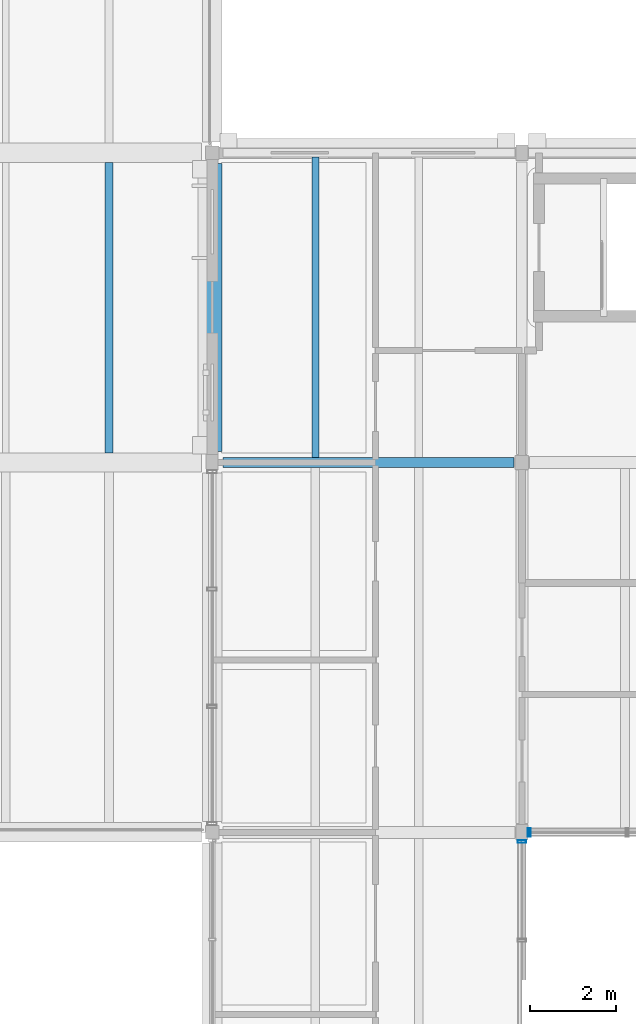
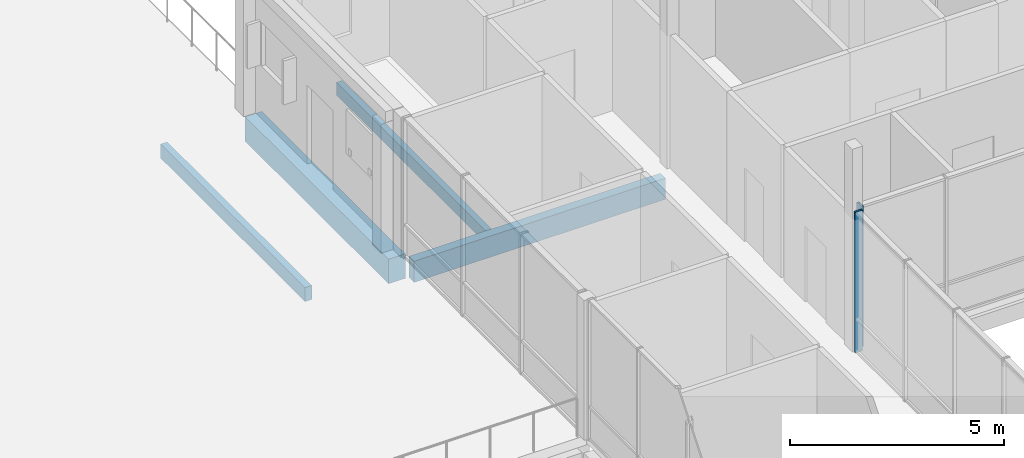
# One storey, part 61 of 115: 4 beams, 2 members, 2 elements without a shape of their own.
"""IFC4 building model written with IfcOpenShell, lengths in metres."""

from ifc_helpers import new_model, si_unit, direction, frame, origin, origin_2d, place, context, subcontext, project, spatial, rectangle, hollow_rectangle, extrude, material, material_profile, profile_set, type_object, element, aggregate, save


model = new_model("IFC4")

# Units and contexts
model_context = context("Model", 3, precision=1e-05, world=origin(), true_north=direction((0.0, 1.0)))
body_context = subcontext(model_context, "Body", "Model", "MODEL_VIEW")
ifc_project = project(units=[si_unit("LENGTHUNIT", "METRE"), si_unit("AREAUNIT", "SQUARE_METRE"), si_unit("VOLUMEUNIT", "CUBIC_METRE"), si_unit("PLANEANGLEUNIT", "RADIAN"), si_unit("MASSUNIT", "GRAM", prefix="KILO")], contexts=[model_context])

# Site, building, storey
site_placement = place(None, origin())
site = spatial("IfcSite", under=ifc_project, at=site_placement, CompositionType="ELEMENT")
building_placement = place(site_placement, origin())
building = spatial("IfcBuilding", under=site, at=building_placement, Name="Hawrajan Terrace Health Centre", CompositionType="ELEMENT")
storey_placement = place(building_placement, frame((0.0, 0.0, 9.0)))
storey = spatial("IfcBuildingStorey", under=building, at=storey_placement, Name="L02", CompositionType="ELEMENT", Elevation=9.0)

# Curtain wall, member
ifc_material_1 = material(Name="Anodized bronze aluminium and low-E solar glazing", Category="aluminium")
curtain_wall_type_1 = type_object("IfcCurtainWallType", Name="CW_Court_SeriesB1", PredefinedType="USERDEFINED", material=ifc_material_1)
curtain_wall_1_placement = place(storey_placement, origin())
curtain_wall_1 = element("IfcCurtainWall", 1, at=curtain_wall_1_placement, inside=storey, type_object=curtain_wall_type_1, Name="Curtain wall CW-L02-148", ObjectType="UNITISED CURTAIN WALL", PredefinedType="USERDEFINED")
ifc_material_2 = material(Name="Anodized bronze aluminium 6063-T6", Category="aluminium")
ifc_material_profile_1 = material_profile(ifc_material_2, hollow_rectangle(XDim=0.06494140625, YDim=0.199951171875, WallThickness=0.00439453125, at=origin_2d()), Name="CW MUL 65x200")
ifc_profile_set_1 = profile_set([ifc_material_profile_1], Name="Anodized bronze aluminium 6063-T6")
member_type = type_object("IfcMemberType", Name="CWMullion_65x200", PredefinedType="MULLION", material=ifc_profile_set_1)
member_1_placement = place(storey_placement, frame((151.0, 36.58740234375, -0.0048828125), z_axis=(0.0, 0.0, 1.0), x_axis=(0.0, 1.0, 0.0)))
member_1 = element("IfcMember", 2, at=member_1_placement, type_object=member_type, Name="Mullion CW-L02-148-M5", PredefinedType="MULLION", context=body_context, shape_type="SweptSolid", body=[
    extrude(hollow_rectangle(XDim=0.06494140625, YDim=0.199951171875, WallThickness=0.00439453125, at=origin_2d()), origin(), (0.0, 0.0, 1.0), 4.009765625),
])
aggregate(curtain_wall_1, [member_1])

curtain_wall_type_2 = type_object("IfcCurtainWallType", Name="CW_CourtNS_SeriesC1", PredefinedType="USERDEFINED", material=ifc_material_1)
curtain_wall_2_placement = place(storey_placement, origin())
curtain_wall_2 = element("IfcCurtainWall", 3, at=curtain_wall_2_placement, inside=storey, type_object=curtain_wall_type_2, Name="Curtain wall CW-L02-151", ObjectType="UNITISED CURTAIN WALL", PredefinedType="USERDEFINED")
member_2_placement = place(storey_placement, frame((151.172607421875, 36.800048828125, -0.0048828125), z_axis=(0.0, 0.0, 1.0), x_axis=(1.0, 0.0, 0.0)))
member_2 = element("IfcMember", 4, at=member_2_placement, type_object=member_type, Name="Mullion CW-L02-151-M1", PredefinedType="MULLION", context=body_context, shape_type="SweptSolid", body=[
    extrude(hollow_rectangle(XDim=0.06494140625, YDim=0.199951171875, WallThickness=0.00439453125, at=origin_2d()), origin(), (0.0, 0.0, 1.0), 4.009765625),
])
aggregate(curtain_wall_2, [member_2])

# Beams
ifc_material_3 = material(Name="Glulam GL32h", Category="wood")
ifc_material_profile_2 = material_profile(ifc_material_3, rectangle(XDim=0.239990234375, YDim=0.60009765625, at=origin_2d()), Name="GL BM 240x600")
ifc_profile_set_2 = profile_set([ifc_material_profile_2], Name="Glulam GL32h")
beam_type_1 = type_object("IfcBeamType", Name="GlulamGirder_240x600", PredefinedType="BEAM", material=ifc_profile_set_2)
beam_1_placement = place(storey_placement, frame((144.050048828125, 45.39990234375, -0.580078125), z_axis=(1.0, 0.0, 0.0), x_axis=(0.0, 1.0, 0.0)))
element("IfcBeam", 5, at=beam_1_placement, inside=storey, type_object=beam_type_1, Name="Beam BM-X-L02-E-19-Y6", PredefinedType="BEAM", context=body_context, shape_type="SweptSolid", body=[
    extrude(rectangle(XDim=0.239990234375, YDim=0.60009765625, at=origin_2d()), origin(), (0.0, 0.0, 1.0), 6.77001953125),
])
ifc_material_4 = material(Name="Glulam GL28h", Category="wood")
ifc_material_profile_3 = material_profile(ifc_material_4, rectangle(XDim=0.159912109375, YDim=0.360107421875, at=origin_2d()), Name="GL JST 160x360")
ifc_profile_set_3 = profile_set([ifc_material_profile_3], Name="Glulam GL28h")
beam_type_2 = type_object("IfcBeamType", Name="GlulamJoist_160x360", PredefinedType="JOIST", material=ifc_profile_set_3)
beam_2_placement = place(storey_placement, frame((146.199951171875, 45.52001953125, -0.4599609375), z_axis=(0.0, 1.0, 0.0), x_axis=(-1.0, 0.0, 0.0)))
element("IfcBeam", 6, at=beam_2_placement, inside=storey, type_object=beam_type_2, Name="Secondary joist JST-L02-E-19-6-1", PredefinedType="JOIST", context=body_context, shape_type="SweptSolid", body=[
    extrude(rectangle(XDim=0.159912109375, YDim=0.360107421875, at=origin_2d()), origin(), (0.0, 0.0, 1.0), 6.97998046875),
])
ifc_material_profile_4 = material_profile(ifc_material_4, rectangle(XDim=0.179931640625, YDim=0.39990234375, at=origin_2d()), Name="GL JST 180x400")
ifc_profile_set_4 = profile_set([ifc_material_profile_4], Name="Glulam GL28h")
beam_type_3 = type_object("IfcBeamType", Name="GlulamJoist_180x400", PredefinedType="JOIST", material=ifc_profile_set_4)
beam_3_placement = place(storey_placement, frame((141.39990234375, 45.625, -0.47998046875), z_axis=(0.0, 1.0, 0.0), x_axis=(-1.0, 0.0, 0.0)))
element("IfcBeam", 7, at=beam_3_placement, inside=storey, type_object=beam_type_3, Name="Secondary joist JST-L02-E-18-6-2", PredefinedType="JOIST", context=body_context, shape_type="SweptSolid", body=[
    extrude(rectangle(XDim=0.179931640625, YDim=0.39990234375, at=origin_2d()), origin(), (0.0, 0.0, 1.0), 6.75),
])
ifc_material_5 = material(Name="Concrete C40/50", Category="concrete")
ifc_material_profile_5 = material_profile(ifc_material_5, rectangle(XDim=0.449951171875, YDim=0.699951171875, at=origin_2d()), Name="RC BM 450x700")
ifc_profile_set_5 = profile_set([ifc_material_profile_5], Name="Concrete C40/50")
beam_type_4 = type_object("IfcBeamType", Name="RCGirder_450x700", PredefinedType="BEAM", material=ifc_profile_set_5)
beam_4_placement = place(storey_placement, frame((143.800048828125, 45.64990234375, -0.6298828125), z_axis=(0.0, 1.0, 0.0), x_axis=(-1.0, 0.0, 0.0)))
element("IfcBeam", 8, at=beam_4_placement, inside=storey, type_object=beam_type_4, Name="Beam BM-Y-L02-E-X19-6", PredefinedType="BEAM", context=body_context, shape_type="SweptSolid", body=[
    extrude(rectangle(XDim=0.449951171875, YDim=0.699951171875, at=origin_2d()), origin(), (0.0, 0.0, 1.0), 6.7001953125),
])

save(model, "model.ifc")
